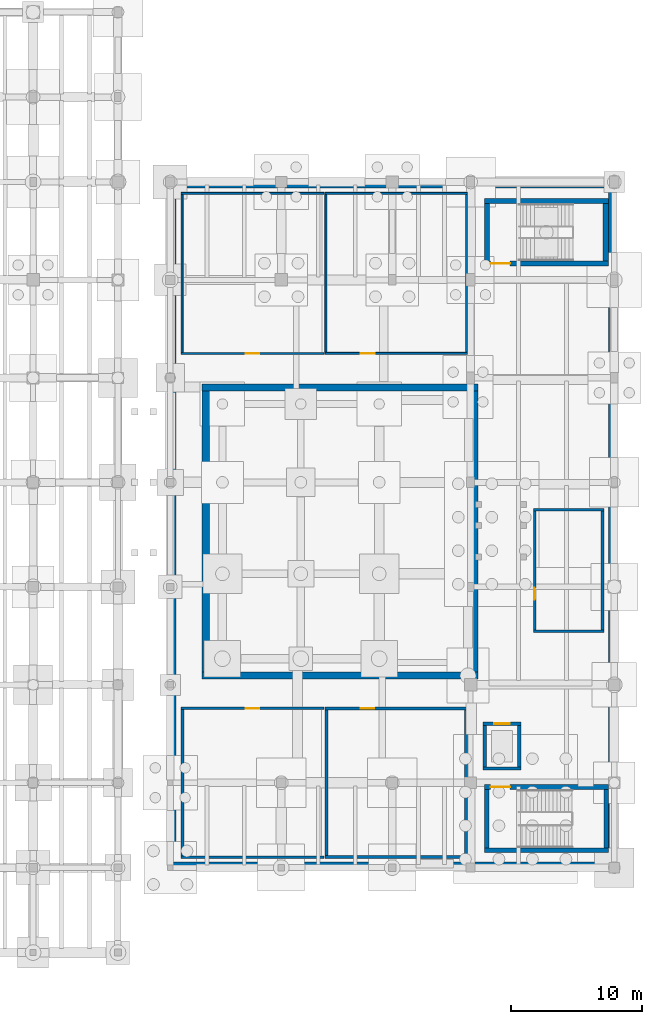
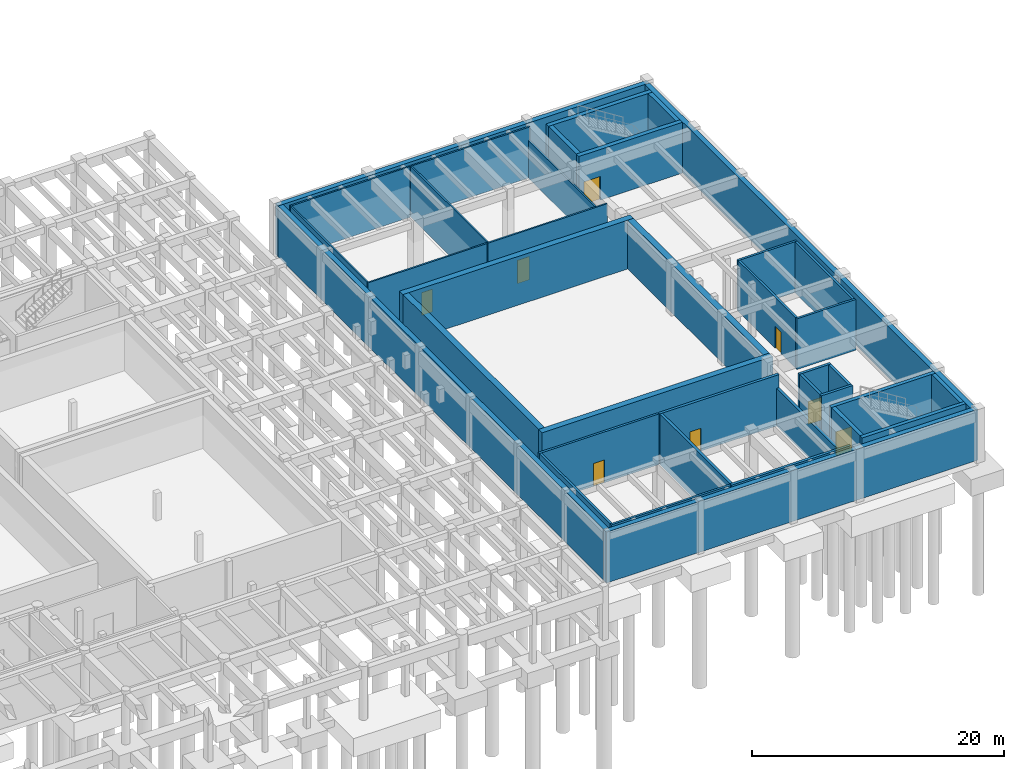
# One storey, part 32 of 36: 38 walls, 8 doors, 8 openings.
"""IFC4 building model written with IfcOpenShell, lengths in metres."""

from ifc_helpers import new_model, si_unit, direction, frame, frame_2d, origin, place, context, subcontext, project, spatial, rectangle, extrude, material, layer, layer_set, type_object, element, fill, save


model = new_model("IFC4")

# Units and contexts
model_context = context("Model", 3, precision=1e-05, world=origin(), true_north=direction((0.0, 1.0)))
body_context = subcontext(model_context, "Body", "Model", "MODEL_VIEW")
ifc_project = project(units=[si_unit("LENGTHUNIT", "METRE"), si_unit("AREAUNIT", "SQUARE_METRE"), si_unit("VOLUMEUNIT", "CUBIC_METRE"), si_unit("PLANEANGLEUNIT", "RADIAN"), si_unit("MASSUNIT", "GRAM", prefix="KILO"), si_unit("THERMODYNAMICTEMPERATUREUNIT", "KELVIN"), si_unit("POWERUNIT", "WATT")], contexts=[model_context])

# Site, building, storey
site_placement = place(None, origin())
site = spatial("IfcSite", under=ifc_project, at=site_placement, CompositionType="ELEMENT")
building_placement = place(site_placement, origin())
building = spatial("IfcBuilding", under=site, at=building_placement, Name="Tepalcoro Natatorium and Aquatics Centre", CompositionType="ELEMENT")
storey_placement = place(building_placement, frame((0.0, 0.0, -5.199951171875)))
storey = spatial("IfcBuildingStorey", under=building, at=storey_placement, Name="B1", CompositionType="ELEMENT", Elevation=-5.199951171875)

# Wall, opening, door
ifc_material_1 = material(Name="Moisture-Resistant Acoustic Gypsum Drywall on Cold-Formed Metal Studs")
ifc_layer_1 = layer(ifc_material_1, 0.14990234375)
ifc_layer_set_1 = layer_set([ifc_layer_1], Name="Moisture-Resistant Acoustic Gypsum Drywall on Cold-Formed Metal Studs")
wall_type_1 = type_object("IfcWallType", Name="WL_PART_150_AC", PredefinedType="PARTITIONING", material=ifc_layer_set_1)
wall_1_placement = place(storey_placement, frame((142.840087890625, 45.875, 0.0), z_axis=(0.0, 0.0, 1.0), x_axis=(1.0, 0.0, 0.0)))
wall_1 = element("IfcWall", 1, at=wall_1_placement, inside=storey, type_object=wall_type_1, Name="Underwater Observation Window Gallery Partition S", PredefinedType="PARTITIONING", context=body_context, shape_type="SweptSolid", body=[
    extrude(rectangle(XDim=10.919921875, YDim=0.14990234375, at=frame_2d((5.4599609375, 0.0))), origin(), (0.0, 0.0, 1.0), 4.905029296875),
])
opening_1_placement = place(wall_1_placement, frame((4.9599609375, 0.0, 0.0)))
opening_1 = element("IfcOpeningElement", 2, at=opening_1_placement, cuts=wall_1, Name="Opening D0062", PredefinedType="OPENING", context=body_context, shape_type="SweptSolid", body=[
    extrude(rectangle(XDim=1.0, YDim=2.199951171875, at=frame_2d((0.5, 1.10009765625))), frame((0.0, 0.0869140625, 0.0), z_axis=(0.0, -1.0, 0.0), x_axis=(1.0, 0.0, 0.0)), (0.0, 0.0, 1.0), 0.173828125),
])
ifc_material_2 = material(Name="Galvanised Steel Insulated Acoustic Fire Door Assembly", Category="steel")
door_type_1 = type_object("IfcDoorType", Name="DR_100x220_FD60", OperationType="NOTDEFINED", PredefinedType="DOOR", material=ifc_material_2)
door_1_placement = place(opening_1_placement, origin())
door_1 = element("IfcDoor", 3, at=door_1_placement, inside=storey, type_object=door_type_1, Name="Underwater Observation Window Gallery Door", OperationType="SINGLE_SWING_LEFT", OverallHeight=2.199951171875, OverallWidth=1.0, PredefinedType="DOOR", context=body_context, shape_type="SweptSolid", body=[
    extrude(rectangle(XDim=1.0, YDim=2.199951171875, at=frame_2d((0.5, 1.10009765625))), frame((0.0, 0.02490234375, 0.0), z_axis=(0.0, -1.0, 0.0), x_axis=(1.0, 0.0, 0.0)), (0.0, 0.0, 1.0), 0.050048828125),
])
fill(opening_1, door_1)

# Walls
wall_2_placement = place(storey_placement, frame((142.840087890625, 58.125, 0.0), z_axis=(0.0, 0.0, 1.0), x_axis=(1.0, 0.0, 0.0)))
element("IfcWall", 4, at=wall_2_placement, inside=storey, type_object=wall_type_1, Name="Underwater Observation Window Gallery Partition N", PredefinedType="PARTITIONING", context=body_context, shape_type="SweptSolid", body=[
    extrude(rectangle(XDim=10.919921875, YDim=0.14990234375, at=frame_2d((5.4599609375, 0.0))), origin(), (0.0, 0.0, 1.0), 4.905029296875),
])
wall_3_placement = place(storey_placement, frame((142.9150390625, 45.949951171875, 0.0), z_axis=(0.0, 0.0, 1.0), x_axis=(0.0, 1.0, 0.0)))
element("IfcWall", 5, at=wall_3_placement, inside=storey, type_object=wall_type_1, Name="Underwater Observation Window Gallery Partition W", PredefinedType="PARTITIONING", context=body_context, shape_type="SweptSolid", body=[
    extrude(rectangle(XDim=12.10009765625, YDim=0.14990234375, at=frame_2d((6.050048828125, 0.0))), origin(), (0.0, 0.0, 1.0), 4.905029296875),
])

# Wall, opening, door
wall_4_placement = place(storey_placement, frame((153.840087890625, 45.875, 0.0), z_axis=(0.0, 0.0, 1.0), x_axis=(1.0, 0.0, 0.0)))
wall_4 = element("IfcWall", 6, at=wall_4_placement, inside=storey, type_object=wall_type_1, Name="Underwater Biomechanics Camera & Timing Vault Partition S", PredefinedType="PARTITIONING", context=body_context, shape_type="SweptSolid", body=[
    extrude(rectangle(XDim=10.919921875, YDim=0.14990234375, at=frame_2d((5.4599609375, 0.0))), origin(), (0.0, 0.0, 1.0), 4.905029296875),
])
opening_2_placement = place(wall_4_placement, frame((2.72998046875, 0.0, 0.0)))
opening_2 = element("IfcOpeningElement", 7, at=opening_2_placement, cuts=wall_4, Name="Opening D0063", PredefinedType="OPENING", context=body_context, shape_type="SweptSolid", body=[
    extrude(rectangle(XDim=1.10009765625, YDim=2.25, at=frame_2d((0.550048828125, 1.125))), frame((0.0, 0.0869140625, 0.0), z_axis=(0.0, -1.0, 0.0), x_axis=(1.0, 0.0, 0.0)), (0.0, 0.0, 1.0), 0.173828125),
])
ifc_material_3 = material(Name="Solid-Core Moisture-Sealed Oak Timber Leaf in Aluminium Frame", Category="wood")
door_type_2 = type_object("IfcDoorType", Name="DR_110x225", OperationType="NOTDEFINED", PredefinedType="DOOR", material=ifc_material_3)
door_2_placement = place(opening_2_placement, origin())
door_2 = element("IfcDoor", 8, at=door_2_placement, inside=storey, type_object=door_type_2, Name="Underwater Biomechanics Camera & Timing Vault Door", OperationType="SINGLE_SWING_RIGHT", OverallHeight=2.25, OverallWidth=1.10009765625, PredefinedType="DOOR", context=body_context, shape_type="SweptSolid", body=[
    extrude(rectangle(XDim=1.10009765625, YDim=2.25, at=frame_2d((0.550048828125, 1.125))), frame((0.0, 0.02490234375, 0.0), z_axis=(0.0, -1.0, 0.0), x_axis=(1.0, 0.0, 0.0)), (0.0, 0.0, 1.0), 0.050048828125),
])
fill(opening_2, door_2)

# Walls
wall_5_placement = place(storey_placement, frame((153.840087890625, 58.125, 0.0), z_axis=(0.0, 0.0, 1.0), x_axis=(1.0, 0.0, 0.0)))
element("IfcWall", 9, at=wall_5_placement, inside=storey, type_object=wall_type_1, Name="Underwater Biomechanics Camera & Timing Vault Partition N", PredefinedType="PARTITIONING", context=body_context, shape_type="SweptSolid", body=[
    extrude(rectangle(XDim=10.919921875, YDim=0.14990234375, at=frame_2d((5.4599609375, 0.0))), origin(), (0.0, 0.0, 1.0), 4.905029296875),
])
wall_6_placement = place(storey_placement, frame((164.68505859375, 45.949951171875, 0.0), z_axis=(0.0, 0.0, 1.0), x_axis=(0.0, 1.0, 0.0)))
element("IfcWall", 10, at=wall_6_placement, inside=storey, type_object=wall_type_1, Name="Underwater Biomechanics Camera & Timing Vault Partition E", PredefinedType="PARTITIONING", context=body_context, shape_type="SweptSolid", body=[
    extrude(rectangle(XDim=12.10009765625, YDim=0.14990234375, at=frame_2d((6.050048828125, 0.0))), origin(), (0.0, 0.0, 1.0), 3.639892578125),
])
wall_7_placement = place(storey_placement, frame((153.9150390625, 45.949951171875, 0.0), z_axis=(0.0, 0.0, 1.0), x_axis=(0.0, 1.0, 0.0)))
element("IfcWall", 11, at=wall_7_placement, inside=storey, type_object=wall_type_1, Name="Underwater Biomechanics Camera & Timing Vault Partition W", PredefinedType="PARTITIONING", context=body_context, shape_type="SweptSolid", body=[
    extrude(rectangle(XDim=12.10009765625, YDim=0.14990234375, at=frame_2d((6.050048828125, 0.0))), origin(), (0.0, 0.0, 1.0), 4.905029296875),
])
ifc_material_4 = material(Name="Ceramic-Tiled Moisture-Resistant Masonry Blockwork", Category="masonry")
ifc_layer_2 = layer(ifc_material_4, 0.199951171875)
ifc_layer_set_2 = layer_set([ifc_layer_2], Name="Ceramic-Tiled Moisture-Resistant Masonry Blockwork")
wall_type_2 = type_object("IfcWallType", Name="WL_PLUMB_200", PredefinedType="PLUMBINGWALL", material=ifc_layer_set_2)
for number, where, z_axis, x_axis, name in (
    (12, (169.800048828125, 24.60009765625, 0.0), (0.0, 0.0, 1.0), (1.0, 0.0, 0.0), "B1 Staff Accessible WC & Shower Partition S"),
    (13, (169.800048828125, 33.89990234375, 0.0), (0.0, 0.0, 1.0), (1.0, 0.0, 0.0), "B1 Staff Accessible WC & Shower Partition N"),
):
    element("IfcWall", number, at=place(storey_placement, frame(where, z_axis=z_axis, x_axis=x_axis)), inside=storey, type_object=wall_type_2, Name=name, PredefinedType="PLUMBINGWALL", context=body_context, shape_type="SweptSolid", body=[
        extrude(rectangle(XDim=5.39990234375, YDim=0.199951171875, at=frame_2d((2.699951171875, 0.0))), origin(), (0.0, 0.0, 1.0), 4.905029296875),
    ])
wall_8_placement = place(storey_placement, frame((175.10009765625, 24.699951171875, 0.0), z_axis=(0.0, 0.0, 1.0), x_axis=(0.0, 1.0, 0.0)))
element("IfcWall", 14, at=wall_8_placement, inside=storey, type_object=wall_type_2, Name="B1 Staff Accessible WC & Shower Partition E", PredefinedType="PLUMBINGWALL", context=body_context, shape_type="SweptSolid", body=[
    extrude(rectangle(XDim=9.10009765625, YDim=0.199951171875, at=frame_2d((4.550048828125, 0.0))), origin(), (0.0, 0.0, 1.0), 4.905029296875),
])

# Wall, opening, door
wall_9_placement = place(storey_placement, frame((169.89990234375, 24.699951171875, 0.0), z_axis=(0.0, 0.0, 1.0), x_axis=(0.0, 1.0, 0.0)))
wall_9 = element("IfcWall", 15, at=wall_9_placement, inside=storey, type_object=wall_type_2, Name="B1 Staff Accessible WC & Shower Partition W", PredefinedType="PLUMBINGWALL", context=body_context, shape_type="SweptSolid", body=[
    extrude(rectangle(XDim=9.10009765625, YDim=0.199951171875, at=frame_2d((4.550048828125, 0.0))), origin(), (0.0, 0.0, 1.0), 4.905029296875),
])
opening_3_placement = place(wall_9_placement, frame((2.324951171875, 0.0, 0.0)))
opening_3 = element("IfcOpeningElement", 16, at=opening_3_placement, cuts=wall_9, Name="Opening D0061", PredefinedType="OPENING", context=body_context, shape_type="SweptSolid", body=[
    extrude(rectangle(XDim=0.89990234375, YDim=2.10009765625, at=frame_2d((0.449951171875, 1.050048828125))), frame((0.0, 0.11181640625, 0.0), z_axis=(0.0, -1.0, 0.0), x_axis=(1.0, 0.0, 0.0)), (0.0, 0.0, 1.0), 0.223876953125),
])
door_type_3 = type_object("IfcDoorType", Name="DR_095x215_WC", OperationType="NOTDEFINED", PredefinedType="DOOR", material=ifc_material_3)
door_3_placement = place(opening_3_placement, frame((0.89990234375, 0.0, 0.0), z_axis=(0.0, 0.0, 1.0), x_axis=(-1.0, 0.0, 0.0)))
door_3 = element("IfcDoor", 17, at=door_3_placement, inside=storey, type_object=door_type_3, Name="B1 Staff Accessible WC & Shower Door", OperationType="SINGLE_SWING_RIGHT", OverallHeight=2.10009765625, OverallWidth=0.89990234375, PredefinedType="DOOR", context=body_context, shape_type="SweptSolid", body=[
    extrude(rectangle(XDim=0.89990234375, YDim=2.10009765625, at=frame_2d((0.449951171875, 1.050048828125))), frame((0.0, 0.02490234375, 0.0), z_axis=(0.0, -1.0, 0.0), x_axis=(1.0, 0.0, 0.0)), (0.0, 0.0, 1.0), 0.050048828125),
])
fill(opening_3, door_3)

# Walls
ifc_material_5 = material(Name="Concrete C40/50 (fc 40 MPa)", Category="concrete")
ifc_layer_3 = layer(ifc_material_5, 0.449951171875)
ifc_layer_set_3 = layer_set([ifc_layer_3], Name="Concrete C40/50 (fc 40 MPa)")
wall_type_3 = type_object("IfcWallType", Name="WL_RET_450", PredefinedType="USERDEFINED", material=ifc_layer_set_3)
for number, where, z_axis, x_axis, name in (
    (18, (142.0, 6.72509765625, 0.0), (0.0, 0.0, 1.0), (1.0, 0.0, 0.0), "V2 Basement Retaining Wall S"),
    (19, (142.0, 58.77490234375, 0.0), (0.0, 0.0, 1.0), (1.0, 0.0, 0.0), "V2 Basement Retaining Wall N"),
):
    element("IfcWall", number, at=place(storey_placement, frame(where, z_axis=z_axis, x_axis=x_axis)), inside=storey, type_object=wall_type_3, Name=name, ObjectType="RETAINING WALL", PredefinedType="USERDEFINED", context=body_context, shape_type="SweptSolid", body=[
        extrude(rectangle(XDim=34.0, YDim=0.449951171875, at=frame_2d((17.0, 0.0))), origin(), (0.0, 0.0, 1.0), 4.919921875),
    ])
for number, where, z_axis, x_axis, name in (
    (20, (142.22509765625, 6.949951171875, 0.0), (0.0, 0.0, 1.0), (0.0, 1.0, 0.0), "V2 Basement Retaining Wall W"),
    (21, (175.77490234375, 6.949951171875, 0.0), (0.0, 0.0, 1.0), (0.0, 1.0, 0.0), "V2 Basement Retaining Wall E"),
):
    element("IfcWall", number, at=place(storey_placement, frame(where, z_axis=z_axis, x_axis=x_axis)), inside=storey, type_object=wall_type_3, Name=name, ObjectType="RETAINING WALL", PredefinedType="USERDEFINED", context=body_context, shape_type="SweptSolid", body=[
        extrude(rectangle(XDim=51.60009765625, YDim=0.449951171875, at=frame_2d((25.800048828125, 0.0))), origin(), (0.0, 0.0, 1.0), 4.919921875),
    ])
ifc_layer_4 = layer(ifc_material_5, 0.239990234375)
ifc_layer_set_4 = layer_set([ifc_layer_4], Name="Concrete C40/50 (fc 40 MPa)")
wall_type_4 = type_object("IfcWallType", Name="WL_SHAFT_240", PredefinedType="SOLIDWALL", material=ifc_layer_set_4)
wall_10_placement = place(storey_placement, frame((165.9599609375, 14.080078125, 0.0), z_axis=(0.0, 0.0, 1.0), x_axis=(1.0, 0.0, 0.0)))
element("IfcWall", 22, at=wall_10_placement, inside=storey, type_object=wall_type_4, Name="LF02 Lift Shaft Wall S B1", PredefinedType="SOLIDWALL", context=body_context, shape_type="SweptSolid", body=[
    extrude(rectangle(XDim=2.880126953125, YDim=0.239990234375, at=frame_2d((1.43994140625, 0.0))), origin(), (0.0, 0.0, 1.0), 5.199951171875),
])

# Wall, opening, door
wall_11_placement = place(storey_placement, frame((165.9599609375, 17.52001953125, 0.0), z_axis=(0.0, 0.0, 1.0), x_axis=(1.0, 0.0, 0.0)))
wall_11 = element("IfcWall", 23, at=wall_11_placement, inside=storey, type_object=wall_type_4, Name="LF02 Lift Shaft Wall N B1", PredefinedType="SOLIDWALL", context=body_context, shape_type="SweptSolid", body=[
    extrude(rectangle(XDim=2.880126953125, YDim=0.239990234375, at=frame_2d((1.43994140625, 0.0))), origin(), (0.0, 0.0, 1.0), 5.199951171875),
])
opening_4_placement = place(wall_11_placement, frame((0.840087890625, 0.0, 0.0)))
opening_4 = element("IfcOpeningElement", 24, at=opening_4_placement, cuts=wall_11, Name="Opening LD-LF02-B1", PredefinedType="OPENING", context=body_context, shape_type="SweptSolid", body=[
    extrude(rectangle(XDim=1.199951171875, YDim=2.199951171875, at=frame_2d((0.60009765625, 1.10009765625))), frame((0.0, 0.1318359375, 0.0), z_axis=(0.0, -1.0, 0.0), x_axis=(1.0, 0.0, 0.0)), (0.0, 0.0, 1.0), 0.263916015625),
])
ifc_material_6 = material(Name="Marine-Grade Brushed Stainless Steel AISI 316L", Category="steel")
door_type_4 = type_object("IfcDoorType", Name="DR_120x220_LIFT", OperationType="NOTDEFINED", PredefinedType="USERDEFINED", material=ifc_material_6)
door_4_placement = place(opening_4_placement, origin())
door_4 = element("IfcDoor", 25, at=door_4_placement, inside=storey, type_object=door_type_4, Name="LF02 Lift Landing Sliding Door (B1)", ObjectType="SLIDING LANDING DOOR", OperationType="SLIDING_TO_LEFT", OverallHeight=2.199951171875, OverallWidth=1.199951171875, PredefinedType="USERDEFINED", context=body_context, shape_type="SweptSolid", body=[
    extrude(rectangle(XDim=1.199951171875, YDim=2.199951171875, at=frame_2d((0.60009765625, 1.10009765625))), frame((0.0, 0.02490234375, 0.0), z_axis=(0.0, -1.0, 0.0), x_axis=(1.0, 0.0, 0.0)), (0.0, 0.0, 1.0), 0.050048828125),
])
fill(opening_4, door_4)

# Walls
for number, where, z_axis, x_axis, name in (
    (26, (166.080078125, 14.199951171875, 0.0), (0.0, 0.0, 1.0), (0.0, 1.0, 0.0), "LF02 Lift Shaft Wall W B1"),
    (27, (168.719970703125, 14.199951171875, 0.0), (0.0, 0.0, 1.0), (0.0, 1.0, 0.0), "LF02 Lift Shaft Wall E B1"),
):
    element("IfcWall", number, at=place(storey_placement, frame(where, z_axis=z_axis, x_axis=x_axis)), inside=storey, type_object=wall_type_4, Name=name, PredefinedType="SOLIDWALL", context=body_context, shape_type="SweptSolid", body=[
        extrude(rectangle(XDim=3.199951171875, YDim=0.239990234375, at=frame_2d((1.60009765625, 0.0))), origin(), (0.0, 0.0, 1.0), 5.199951171875),
    ])
ifc_layer_5 = layer(ifc_material_5, 0.35009765625)
ifc_layer_set_5 = layer_set([ifc_layer_5], Name="Concrete C40/50 (fc 40 MPa)")
wall_type_5 = type_object("IfcWallType", Name="WL_SHEAR_350", PredefinedType="SHEAR", material=ifc_layer_set_5)
wall_12_placement = place(storey_placement, frame((166.050048828125, 7.824951171875, 0.0), z_axis=(0.0, 0.0, 1.0), x_axis=(1.0, 0.0, 0.0)))
element("IfcWall", 28, at=wall_12_placement, inside=storey, type_object=wall_type_5, Name="ST03 Core Shear Wall S B1", PredefinedType="SHEAR", context=body_context, shape_type="SweptSolid", body=[
    extrude(rectangle(XDim=9.5, YDim=0.35009765625, at=frame_2d((4.75, 0.0))), origin(), (0.0, 0.0, 1.0), 4.919921875),
])

# Wall, opening, door
wall_13_placement = place(storey_placement, frame((166.050048828125, 12.675048828125, 0.0), z_axis=(0.0, 0.0, 1.0), x_axis=(1.0, 0.0, 0.0)))
wall_13 = element("IfcWall", 29, at=wall_13_placement, inside=storey, type_object=wall_type_5, Name="ST03 Core Shear Wall N B1", PredefinedType="SHEAR", context=body_context, shape_type="SweptSolid", body=[
    extrude(rectangle(XDim=9.5, YDim=0.35009765625, at=frame_2d((4.75, 0.0))), origin(), (0.0, 0.0, 1.0), 4.919921875),
])
opening_5_placement = place(wall_13_placement, frame((0.47998046875, 0.0, 0.0)))
opening_5 = element("IfcOpeningElement", 30, at=opening_5_placement, cuts=wall_13, Name="Opening D0011", PredefinedType="OPENING", context=body_context, shape_type="SweptSolid", body=[
    extrude(rectangle(XDim=1.5, YDim=2.300048828125, at=frame_2d((0.75, 1.14990234375))), frame((0.0, 0.18701171875, 0.0), z_axis=(0.0, -1.0, 0.0), x_axis=(1.0, 0.0, 0.0)), (0.0, 0.0, 1.0), 0.3740234375),
])
door_type_5 = type_object("IfcDoorType", Name="DR_150x230_FD60", OperationType="NOTDEFINED", PredefinedType="DOOR", material=ifc_material_2)
door_5_placement = place(opening_5_placement, frame((1.5, 0.0, 0.0), z_axis=(0.0, 0.0, 1.0), x_axis=(-1.0, 0.0, 0.0)))
door_5 = element("IfcDoor", 31, at=door_5_placement, inside=storey, type_object=door_type_5, Name="ST03 Fire Stair Door (B1)", OperationType="DOUBLE_DOOR_SINGLE_SWING", OverallHeight=2.300048828125, OverallWidth=1.5, PredefinedType="DOOR", context=body_context, shape_type="SweptSolid", body=[
    extrude(rectangle(XDim=1.5, YDim=2.300048828125, at=frame_2d((0.75, 1.14990234375))), frame((0.0, 0.02490234375, 0.0), z_axis=(0.0, -1.0, 0.0), x_axis=(1.0, 0.0, 0.0)), (0.0, 0.0, 1.0), 0.050048828125),
])
fill(opening_5, door_5)

# Walls
for number, where, z_axis, x_axis, name in (
    (32, (166.22509765625, 8.0, 0.0), (0.0, 0.0, 1.0), (0.0, 1.0, 0.0), "ST03 Core Shear Wall W B1"),
    (33, (175.375, 8.0, 0.0), (0.0, 0.0, 1.0), (0.0, 1.0, 0.0), "ST03 Core Shear Wall E B1"),
):
    element("IfcWall", number, at=place(storey_placement, frame(where, z_axis=z_axis, x_axis=x_axis)), inside=storey, type_object=wall_type_5, Name=name, PredefinedType="SHEAR", context=body_context, shape_type="SweptSolid", body=[
        extrude(rectangle(XDim=4.5, YDim=0.35009765625, at=frame_2d((2.25, 0.0))), origin(), (0.0, 0.0, 1.0), 4.919921875),
    ])

# Wall, opening, door
ifc_layer_6 = layer(ifc_material_5, 0.39990234375)
ifc_layer_set_6 = layer_set([ifc_layer_6], Name="Concrete C40/50 (fc 40 MPa)")
wall_type_6 = type_object("IfcWallType", Name="WL_SHEAR_400", PredefinedType="SHEAR", material=ifc_layer_set_6)
wall_14_placement = place(storey_placement, frame((166.050048828125, 52.75, 0.0), z_axis=(0.0, 0.0, 1.0), x_axis=(1.0, 0.0, 0.0)))
wall_14 = element("IfcWall", 34, at=wall_14_placement, inside=storey, type_object=wall_type_6, Name="ST04 Core Shear Wall S B1", PredefinedType="SHEAR", context=body_context, shape_type="SweptSolid", body=[
    extrude(rectangle(XDim=9.5, YDim=0.39990234375, at=frame_2d((4.75, 0.0))), origin(), (0.0, 0.0, 1.0), 4.919921875),
])
opening_6_placement = place(wall_14_placement, frame((0.47998046875, 0.0, 0.0)))
opening_6 = element("IfcOpeningElement", 35, at=opening_6_placement, cuts=wall_14, Name="Opening D0016", PredefinedType="OPENING", context=body_context, shape_type="SweptSolid", body=[
    extrude(rectangle(XDim=1.5, YDim=2.300048828125, at=frame_2d((0.75, 1.14990234375))), frame((0.0, 0.2119140625, 0.0), z_axis=(0.0, -1.0, 0.0), x_axis=(1.0, 0.0, 0.0)), (0.0, 0.0, 1.0), 0.423828125),
])
door_6_placement = place(opening_6_placement, origin())
door_6 = element("IfcDoor", 36, at=door_6_placement, inside=storey, type_object=door_type_5, Name="ST04 Fire Stair Door (B1)", OperationType="DOUBLE_DOOR_SINGLE_SWING", OverallHeight=2.300048828125, OverallWidth=1.5, PredefinedType="DOOR", context=body_context, shape_type="SweptSolid", body=[
    extrude(rectangle(XDim=1.5, YDim=2.300048828125, at=frame_2d((0.75, 1.14990234375))), frame((0.0, 0.02490234375, 0.0), z_axis=(0.0, -1.0, 0.0), x_axis=(1.0, 0.0, 0.0)), (0.0, 0.0, 1.0), 0.050048828125),
])
fill(opening_6, door_6)

# Walls
wall_15_placement = place(storey_placement, frame((166.050048828125, 57.550048828125, 0.0), z_axis=(0.0, 0.0, 1.0), x_axis=(1.0, 0.0, 0.0)))
element("IfcWall", 37, at=wall_15_placement, inside=storey, type_object=wall_type_6, Name="ST04 Core Shear Wall N B1", PredefinedType="SHEAR", context=body_context, shape_type="SweptSolid", body=[
    extrude(rectangle(XDim=9.5, YDim=0.39990234375, at=frame_2d((4.75, 0.0))), origin(), (0.0, 0.0, 1.0), 4.919921875),
])
for number, where, z_axis, x_axis, name in (
    (38, (166.25, 52.949951171875, 0.0), (0.0, 0.0, 1.0), (0.0, 1.0, 0.0), "ST04 Core Shear Wall W B1"),
    (39, (175.35009765625, 52.949951171875, 0.0), (0.0, 0.0, 1.0), (0.0, 1.0, 0.0), "ST04 Core Shear Wall E B1"),
):
    element("IfcWall", number, at=place(storey_placement, frame(where, z_axis=z_axis, x_axis=x_axis)), inside=storey, type_object=wall_type_6, Name=name, PredefinedType="SHEAR", context=body_context, shape_type="SweptSolid", body=[
        extrude(rectangle(XDim=4.400146484375, YDim=0.39990234375, at=frame_2d((2.2001953125, 0.0))), origin(), (0.0, 0.0, 1.0), 4.919921875),
    ])
ifc_material_7 = material(Name="Concrete C35/45 (fc 35 MPa)", Category="concrete")
ifc_layer_7 = layer(ifc_material_7, 0.205078125)
ifc_layer_set_7 = layer_set([ifc_layer_7], Name="Concrete C35/45 (fc 35 MPa)")
wall_type_7 = type_object("IfcWallType", Name="WL_SOLID_200_FR120", PredefinedType="SOLIDWALL", material=ifc_layer_set_7)
wall_16_placement = place(storey_placement, frame((142.840087890625, 7.302490234375, 0.0), z_axis=(0.0, 0.0, 1.0), x_axis=(1.0, 0.0, 0.0)))
element("IfcWall", 40, at=wall_16_placement, inside=storey, type_object=wall_type_7, Name="Diving Well Filtration & Air-Cushion Sparger Plant Partition S", PredefinedType="SOLIDWALL", context=body_context, shape_type="SweptSolid", body=[
    extrude(rectangle(XDim=10.919921875, YDim=0.205078125, at=frame_2d((5.4599609375, 0.0))), origin(), (0.0, 0.0, 1.0), 4.905029296875),
])

# Wall, opening, door
wall_17_placement = place(storey_placement, frame((142.840087890625, 18.697509765625, 0.0), z_axis=(0.0, 0.0, 1.0), x_axis=(1.0, 0.0, 0.0)))
wall_17 = element("IfcWall", 41, at=wall_17_placement, inside=storey, type_object=wall_type_7, Name="Diving Well Filtration & Air-Cushion Sparger Plant Partition N", PredefinedType="SOLIDWALL", context=body_context, shape_type="SweptSolid", body=[
    extrude(rectangle(XDim=10.919921875, YDim=0.205078125, at=frame_2d((5.4599609375, 0.0))), origin(), (0.0, 0.0, 1.0), 4.905029296875),
])
opening_7_placement = place(wall_17_placement, frame((4.9599609375, 0.0, 0.0)))
opening_7 = element("IfcOpeningElement", 42, at=opening_7_placement, cuts=wall_17, Name="Opening D0059", PredefinedType="OPENING", context=body_context, shape_type="SweptSolid", body=[
    extrude(rectangle(XDim=1.0, YDim=2.199951171875, at=frame_2d((0.5, 1.10009765625))), frame((0.0, 0.114501953125, 0.0), z_axis=(0.0, -1.0, 0.0), x_axis=(1.0, 0.0, 0.0)), (0.0, 0.0, 1.0), 0.22900390625),
])
door_7_placement = place(opening_7_placement, frame((1.0, 0.0, 0.0), z_axis=(0.0, 0.0, 1.0), x_axis=(-1.0, 0.0, 0.0)))
door_7 = element("IfcDoor", 43, at=door_7_placement, inside=storey, type_object=door_type_1, Name="Diving Well Filtration & Air-Cushion Sparger Plant Door", OperationType="SINGLE_SWING_RIGHT", OverallHeight=2.199951171875, OverallWidth=1.0, PredefinedType="DOOR", context=body_context, shape_type="SweptSolid", body=[
    extrude(rectangle(XDim=1.0, YDim=2.199951171875, at=frame_2d((0.5, 1.10009765625))), frame((0.0, 0.02490234375, 0.0), z_axis=(0.0, -1.0, 0.0), x_axis=(1.0, 0.0, 0.0)), (0.0, 0.0, 1.0), 0.050048828125),
])
fill(opening_7, door_7)

# Walls
wall_18_placement = place(storey_placement, frame((142.9423828125, 7.405029296875, 0.0), z_axis=(0.0, 0.0, 1.0), x_axis=(0.0, 1.0, 0.0)))
element("IfcWall", 44, at=wall_18_placement, inside=storey, type_object=wall_type_7, Name="Diving Well Filtration & Air-Cushion Sparger Plant Partition W", PredefinedType="SOLIDWALL", context=body_context, shape_type="SweptSolid", body=[
    extrude(rectangle(XDim=11.18994140625, YDim=0.205078125, at=frame_2d((5.594970703125, 0.0))), origin(), (0.0, 0.0, 1.0), 4.905029296875),
])
ifc_layer_8 = layer(ifc_material_7, 0.2451171875)
ifc_layer_set_8 = layer_set([ifc_layer_8], Name="Concrete C35/45 (fc 35 MPa)")
wall_type_8 = type_object("IfcWallType", Name="WL_SOLID_240_FR120", PredefinedType="SOLIDWALL", material=ifc_layer_set_8)
wall_19_placement = place(storey_placement, frame((153.840087890625, 7.322509765625, 0.0), z_axis=(0.0, 0.0, 1.0), x_axis=(1.0, 0.0, 0.0)))
element("IfcWall", 45, at=wall_19_placement, inside=storey, type_object=wall_type_8, Name="Diving Surge Tank & Chemical Dosing Containment Partition S", PredefinedType="SOLIDWALL", context=body_context, shape_type="SweptSolid", body=[
    extrude(rectangle(XDim=10.919921875, YDim=0.2451171875, at=frame_2d((5.4599609375, 0.0))), origin(), (0.0, 0.0, 1.0), 4.905029296875),
])

# Wall, opening, door
wall_20_placement = place(storey_placement, frame((153.840087890625, 18.677490234375, 0.0), z_axis=(0.0, 0.0, 1.0), x_axis=(1.0, 0.0, 0.0)))
wall_20 = element("IfcWall", 46, at=wall_20_placement, inside=storey, type_object=wall_type_8, Name="Diving Surge Tank & Chemical Dosing Containment Partition N", PredefinedType="SOLIDWALL", context=body_context, shape_type="SweptSolid", body=[
    extrude(rectangle(XDim=10.919921875, YDim=0.2451171875, at=frame_2d((5.4599609375, 0.0))), origin(), (0.0, 0.0, 1.0), 4.905029296875),
])
opening_8_placement = place(wall_20_placement, frame((2.75, 0.0, 0.0)))
opening_8 = element("IfcOpeningElement", 47, at=opening_8_placement, cuts=wall_20, Name="Opening D0060", PredefinedType="OPENING", context=body_context, shape_type="SweptSolid", body=[
    extrude(rectangle(XDim=1.02001953125, YDim=2.199951171875, at=frame_2d((0.510009765625, 1.10009765625))), frame((0.0, 0.134521484375, 0.0), z_axis=(0.0, -1.0, 0.0), x_axis=(1.0, 0.0, 0.0)), (0.0, 0.0, 1.0), 0.26904296875),
])
door_type_6 = type_object("IfcDoorType", Name="DR_100x220_FD90", OperationType="NOTDEFINED", PredefinedType="DOOR", material=ifc_material_2)
door_8_placement = place(opening_8_placement, frame((1.02001953125, 0.0, 0.0), z_axis=(0.0, 0.0, 1.0), x_axis=(-1.0, 0.0, 0.0)))
door_8 = element("IfcDoor", 48, at=door_8_placement, inside=storey, type_object=door_type_6, Name="Diving Surge Tank & Chemical Dosing Containment Door", OperationType="SINGLE_SWING_LEFT", OverallHeight=2.199951171875, OverallWidth=1.02001953125, PredefinedType="DOOR", context=body_context, shape_type="SweptSolid", body=[
    extrude(rectangle(XDim=1.02001953125, YDim=2.199951171875, at=frame_2d((0.510009765625, 1.10009765625))), frame((0.0, 0.02490234375, 0.0), z_axis=(0.0, -1.0, 0.0), x_axis=(1.0, 0.0, 0.0)), (0.0, 0.0, 1.0), 0.050048828125),
])
fill(opening_8, door_8)

# Walls
wall_21_placement = place(storey_placement, frame((164.637451171875, 7.445068359375, 0.0), z_axis=(0.0, 0.0, 1.0), x_axis=(0.0, 1.0, 0.0)))
element("IfcWall", 49, at=wall_21_placement, inside=storey, type_object=wall_type_8, Name="Diving Surge Tank & Chemical Dosing Containment Partition E", PredefinedType="SOLIDWALL", context=body_context, shape_type="SweptSolid", body=[
    extrude(rectangle(XDim=11.10986328125, YDim=0.2451171875, at=frame_2d((5.554931640625, 0.0))), origin(), (0.0, 0.0, 1.0), 3.639892578125),
])
wall_22_placement = place(storey_placement, frame((153.96240234375, 7.445068359375, 0.0), z_axis=(0.0, 0.0, 1.0), x_axis=(0.0, 1.0, 0.0)))
element("IfcWall", 50, at=wall_22_placement, inside=storey, type_object=wall_type_8, Name="Diving Surge Tank & Chemical Dosing Containment Partition W", PredefinedType="SOLIDWALL", context=body_context, shape_type="SweptSolid", body=[
    extrude(rectangle(XDim=11.10986328125, YDim=0.2451171875, at=frame_2d((5.554931640625, 0.0))), origin(), (0.0, 0.0, 1.0), 4.905029296875),
])
ifc_layer_9 = layer(ifc_material_5, 0.550048828125)
ifc_layer_set_9 = layer_set([ifc_layer_9], Name="Concrete C40/50 (fc 40 MPa)")
wall_type_9 = type_object("IfcWallType", Name="WL_TANK_550", PredefinedType="USERDEFINED", material=ifc_layer_set_9)
for number, where, z_axis, x_axis, name in (
    (51, (144.449951171875, 21.22509765625, 0.199951171875), (0.0, 0.0, 1.0), (1.0, 0.0, 0.0), "Diving Pool Tank Wall S"),
    (52, (144.449951171875, 43.27490234375, 0.199951171875), (0.0, 0.0, 1.0), (1.0, 0.0, 0.0), "Diving Pool Tank Wall N"),
):
    element("IfcWall", number, at=place(storey_placement, frame(where, z_axis=z_axis, x_axis=x_axis)), inside=storey, type_object=wall_type_9, Name=name, ObjectType="RETAINING WALL", PredefinedType="USERDEFINED", context=body_context, shape_type="SweptSolid", body=[
        extrude(rectangle(XDim=21.10009765625, YDim=0.550048828125, at=frame_2d((10.550048828125, 0.0))), origin(), (0.0, 0.0, 1.0), 4.719970703125),
    ])
for number, where, z_axis, x_axis, name in (
    (53, (144.72509765625, 21.5, 0.199951171875), (0.0, 0.0, 1.0), (0.0, 1.0, 0.0), "Diving Pool Tank Wall W"),
    (54, (165.27490234375, 21.5, 0.199951171875), (0.0, 0.0, 1.0), (0.0, 1.0, 0.0), "Diving Pool Tank Wall E"),
):
    element("IfcWall", number, at=place(storey_placement, frame(where, z_axis=z_axis, x_axis=x_axis)), inside=storey, type_object=wall_type_9, Name=name, ObjectType="RETAINING WALL", PredefinedType="USERDEFINED", context=body_context, shape_type="SweptSolid", body=[
        extrude(rectangle(XDim=21.5, YDim=0.550048828125, at=frame_2d((10.75, 0.0))), origin(), (0.0, 0.0, 1.0), 4.719970703125),
    ])

save(model, "model.ifc")
